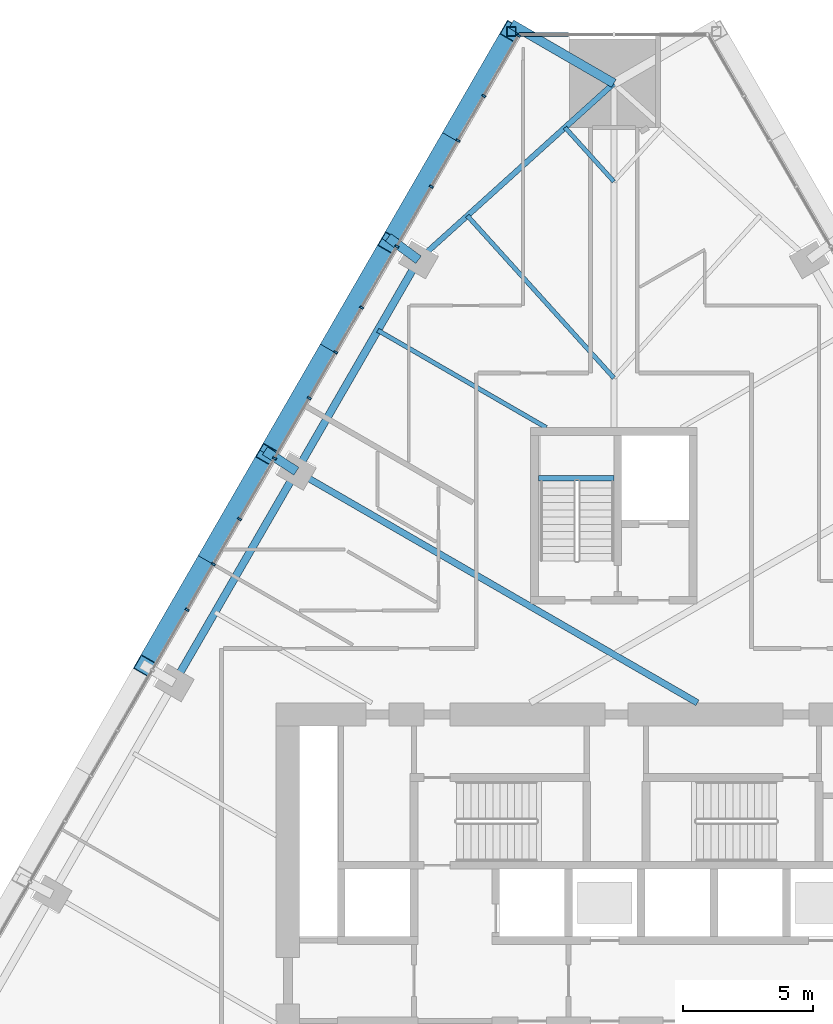
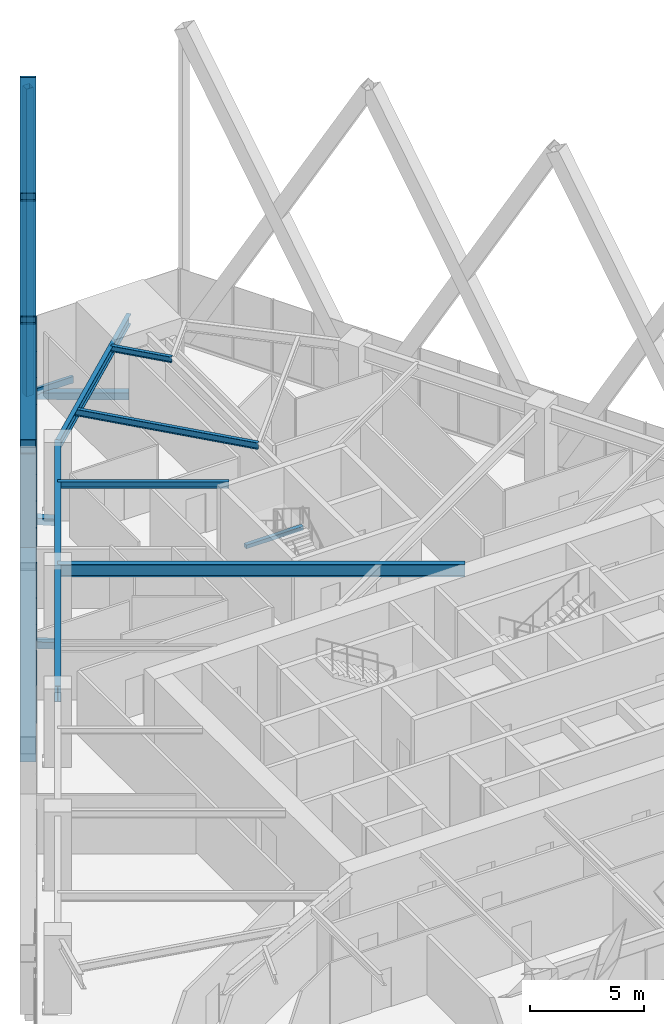
# One storey, part 10 of 21: 23 members, 7 beams, 2 elements without a shape of their own.
"""IFC4 building model written with IfcOpenShell, lengths in metres."""

from ifc_helpers import new_model, si_unit, direction, frame, origin, origin_2d, place, context, subcontext, project, spatial, rectangle, hollow_rectangle, i_section, extrude, material, layer, layer_set, material_profile, profile_set, type_object, element, aggregate, save


model = new_model("IFC4")

# Units and contexts
model_context = context("Model", 3, precision=1e-05, world=origin(), true_north=direction((0.0, 1.0)))
body_context = subcontext(model_context, "Body", "Model", "MODEL_VIEW")
ifc_project = project(units=[si_unit("LENGTHUNIT", "METRE"), si_unit("AREAUNIT", "SQUARE_METRE"), si_unit("VOLUMEUNIT", "CUBIC_METRE"), si_unit("PLANEANGLEUNIT", "RADIAN"), si_unit("MASSUNIT", "GRAM", prefix="KILO")], contexts=[model_context])

# Site, building, storey
site_placement = place(None, origin())
site = spatial("IfcSite", under=ifc_project, at=site_placement, CompositionType="ELEMENT")
building_placement = place(site_placement, origin())
building = spatial("IfcBuilding", under=site, at=building_placement, Name="Firuza Gate Tower and Library", CompositionType="ELEMENT")
storey_placement = place(building_placement, frame((0.0, 0.0, 90.39990234375)))
storey = spatial("IfcBuildingStorey", under=building, at=storey_placement, Name="L20", CompositionType="ELEMENT", Elevation=90.39990234375)

# Members
ifc_material_1 = material(Name="Steel S355", Category="steel")
ifc_material_profile_1 = material_profile(ifc_material_1, hollow_rectangle(XDim=0.699951171875, YDim=0.699951171875, WallThickness=0.030029296875, at=origin_2d()))
ifc_profile_set_1 = profile_set([ifc_material_profile_1], Name="Steel S355")
member_type_1 = type_object("IfcMemberType", Name="BU700x700x30 Lattice brace", PredefinedType="BRACE", material=ifc_profile_set_1)
for number, where, z_axis, x_axis, name in (
    (1, (71.0537109375, 109.852783203125, 0.0), (-0.244220326486, -0.422982149139, 0.872606746273), (0.866015235904, -0.500017610873, 0.0), "Lattice brace W 4.1R"),
    (2, (66.351806640625, 101.709228515625, 0.0), (0.244220326486, 0.422982149139, 0.872606746273), (-0.866015235904, 0.500017610873, 0.0), "Lattice brace W 4.1L"),
    (3, (66.351806640625, 101.709228515625, 0.0), (-0.24420840192, -0.422983459052, 0.872609448608), (0.866026478318, -0.499998138849, 0.0), "Lattice brace W 4.2R"),
    (4, (61.650146484375, 93.565673828125, 0.0), (0.24420840192, 0.422983459052, 0.872609448608), (-0.866026478318, 0.499998138849, 0.0), "Lattice brace W 4.2L"),
    (5, (61.650146484375, 93.565673828125, 0.0), (-0.24420840192, -0.422983459052, 0.872609448608), (0.866026478318, -0.499998138849, 0.0), "Lattice brace W 4.3R"),
    (6, (56.948486328125, 85.422119140625, 0.0), (0.24420840192, 0.422983459052, 0.872609448608), (-0.866026478318, 0.499998138849, 0.0), "Lattice brace W 4.3L"),
):
    element("IfcMember", number, at=place(storey_placement, frame(where, z_axis=z_axis, x_axis=x_axis)), inside=storey, type_object=member_type_1, Name=name, PredefinedType="BRACE", context=body_context, shape_type="SweptSolid", body=[
        extrude(hollow_rectangle(XDim=0.699951171875, YDim=0.699951171875, WallThickness=0.030029296875, at=origin_2d()), origin(), (0.0, 0.0, 1.0), 19.252685546875),
    ])

# Curtain wall, members
ifc_material_2 = material(Name="Aluminium 6063-T6", Category="aluminium")
ifc_layer_1 = layer(ifc_material_2, 0.14990234375)
ifc_layer_set_1 = layer_set([ifc_layer_1], Name="Unitised curtain wall, offices")
curtain_wall_type_1 = type_object("IfcCurtainWallType", Name="Unitised curtain wall, offices", PredefinedType="NOTDEFINED", material=ifc_layer_set_1)
placement = place(storey_placement, origin())
curtain_wall_1 = element("IfcCurtainWall", 7, at=placement, inside=storey, type_object=curtain_wall_type_1, Name="CW1 L20 W face", PredefinedType="NOTDEFINED")
ifc_material_3 = material(Name="Aluminium 6063-T6", Category="aluminium")
ifc_material_profile_2 = material_profile(ifc_material_3, rectangle(XDim=0.14990234375, YDim=0.080078125, at=origin_2d()))
ifc_profile_set_2 = profile_set([ifc_material_profile_2], Name="Aluminium 6063-T6")
member_type_2 = type_object("IfcMemberType", Name="Curtain wall mullion 80x150", PredefinedType="MULLION", material=ifc_profile_set_2)
member_1_placement = place(storey_placement, frame((71.336669921875, 109.693115234375, 0.150146484375), z_axis=(0.0, 0.0, 1.0), x_axis=(0.866025403784, -0.5, 0.0)))
member_1 = element("IfcMember", 8, at=member_1_placement, type_object=member_type_2, Name="Mullion", PredefinedType="MULLION", context=body_context, shape_type="SweptSolid", body=[
    extrude(rectangle(XDim=0.14990234375, YDim=0.080078125, at=origin_2d()), origin(), (0.0, 0.0, 1.0), 3.849853515625),
])
member_2_placement = place(storey_placement, frame((69.002197265625, 105.649658203125, 0.150146484375), z_axis=(0.0, 0.0, 1.0), x_axis=(0.866025403784, -0.5, 0.0)))
member_2 = element("IfcMember", 9, at=member_2_placement, type_object=member_type_2, Name="Mullion", PredefinedType="MULLION", context=body_context, shape_type="SweptSolid", body=[
    extrude(rectangle(XDim=0.14990234375, YDim=0.080078125, at=origin_2d()), origin(), (0.0, 0.0, 1.0), 3.849853515625),
])
member_3_placement = place(storey_placement, frame((66.647705078125, 101.571533203125, 0.150146484375), z_axis=(0.0, 0.0, 1.0), x_axis=(0.866025403784, -0.5, 0.0)))
member_3 = element("IfcMember", 10, at=member_3_placement, type_object=member_type_2, Name="Mullion", PredefinedType="MULLION", context=body_context, shape_type="SweptSolid", body=[
    extrude(rectangle(XDim=0.14990234375, YDim=0.080078125, at=origin_2d()), origin(), (0.0, 0.0, 1.0), 3.849853515625),
])
member_4_placement = place(storey_placement, frame((64.29345703125, 97.49365234375, 0.150146484375), z_axis=(0.0, 0.0, 1.0), x_axis=(0.866025403784, -0.5, 0.0)))
member_4 = element("IfcMember", 11, at=member_4_placement, type_object=member_type_2, Name="Mullion", PredefinedType="MULLION", context=body_context, shape_type="SweptSolid", body=[
    extrude(rectangle(XDim=0.14990234375, YDim=0.080078125, at=origin_2d()), origin(), (0.0, 0.0, 1.0), 3.849853515625),
])
member_5_placement = place(storey_placement, frame((61.93896484375, 93.41552734375, 0.150146484375), z_axis=(0.0, 0.0, 1.0), x_axis=(0.866025403784, -0.5, 0.0)))
member_5 = element("IfcMember", 12, at=member_5_placement, type_object=member_type_2, Name="Mullion", PredefinedType="MULLION", context=body_context, shape_type="SweptSolid", body=[
    extrude(rectangle(XDim=0.14990234375, YDim=0.080078125, at=origin_2d()), origin(), (0.0, 0.0, 1.0), 3.849853515625),
])
member_6_placement = place(storey_placement, frame((59.58447265625, 89.337646484375, 0.150146484375), z_axis=(0.0, 0.0, 1.0), x_axis=(0.866025403784, -0.5, 0.0)))
member_6 = element("IfcMember", 13, at=member_6_placement, type_object=member_type_2, Name="Mullion", PredefinedType="MULLION", context=body_context, shape_type="SweptSolid", body=[
    extrude(rectangle(XDim=0.14990234375, YDim=0.080078125, at=origin_2d()), origin(), (0.0, 0.0, 1.0), 3.849853515625),
])
member_7_placement = place(storey_placement, frame((69.992431640625, 107.364990234375, 0.150146484375), z_axis=(0.0, 0.0, 1.0), x_axis=(0.866025403784, -0.5, 0.0)))
member_7 = element("IfcMember", 14, at=member_7_placement, type_object=member_type_2, Name="Mullion", PredefinedType="MULLION", context=body_context, shape_type="SweptSolid", body=[
    extrude(rectangle(XDim=0.14990234375, YDim=0.080078125, at=origin_2d()), origin(), (0.0, 0.0, 1.0), 3.849853515625),
])
member_8_placement = place(storey_placement, frame((67.975830078125, 103.871826171875, 0.150146484375), z_axis=(0.0, 0.0, 1.0), x_axis=(0.866025403784, -0.5, 0.0)))
member_8 = element("IfcMember", 15, at=member_8_placement, type_object=member_type_2, Name="Mullion", PredefinedType="MULLION", context=body_context, shape_type="SweptSolid", body=[
    extrude(rectangle(XDim=0.14990234375, YDim=0.080078125, at=origin_2d()), origin(), (0.0, 0.0, 1.0), 3.849853515625),
])
member_9_placement = place(storey_placement, frame((65.290771484375, 99.221435546875, 0.150146484375), z_axis=(0.0, 0.0, 1.0), x_axis=(0.866025403784, -0.5, 0.0)))
member_9 = element("IfcMember", 16, at=member_9_placement, type_object=member_type_2, Name="Mullion", PredefinedType="MULLION", context=body_context, shape_type="SweptSolid", body=[
    extrude(rectangle(XDim=0.14990234375, YDim=0.080078125, at=origin_2d()), origin(), (0.0, 0.0, 1.0), 3.849853515625),
])
member_10_placement = place(storey_placement, frame((63.274169921875, 95.728271484375, 0.150146484375), z_axis=(0.0, 0.0, 1.0), x_axis=(0.866025403784, -0.5, 0.0)))
member_10 = element("IfcMember", 17, at=member_10_placement, type_object=member_type_2, Name="Mullion", PredefinedType="MULLION", context=body_context, shape_type="SweptSolid", body=[
    extrude(rectangle(XDim=0.14990234375, YDim=0.080078125, at=origin_2d()), origin(), (0.0, 0.0, 1.0), 3.849853515625),
])
member_11_placement = place(storey_placement, frame((60.589111328125, 91.077880859375, 0.150146484375), z_axis=(0.0, 0.0, 1.0), x_axis=(0.866025403784, -0.5, 0.0)))
member_11 = element("IfcMember", 18, at=member_11_placement, type_object=member_type_2, Name="Mullion", PredefinedType="MULLION", context=body_context, shape_type="SweptSolid", body=[
    extrude(rectangle(XDim=0.14990234375, YDim=0.080078125, at=origin_2d()), origin(), (0.0, 0.0, 1.0), 3.849853515625),
])
member_12_placement = place(storey_placement, frame((58.572509765625, 87.584716796875, 0.150146484375), z_axis=(0.0, 0.0, 1.0), x_axis=(0.866025403784, -0.5, 0.0)))
member_12 = element("IfcMember", 19, at=member_12_placement, type_object=member_type_2, Name="Mullion", PredefinedType="MULLION", context=body_context, shape_type="SweptSolid", body=[
    extrude(rectangle(XDim=0.14990234375, YDim=0.080078125, at=origin_2d()), origin(), (0.0, 0.0, 1.0), 3.849853515625),
])
aggregate(curtain_wall_1, [member_1, member_2, member_3, member_4, member_5, member_6, member_7, member_8, member_9, member_10, member_11, member_12])

# Curtain wall, member
ifc_material_4 = material(Name="Aluminium 6063-T6", Category="aluminium")
ifc_layer_2 = layer(ifc_material_4, 0.14990234375)
ifc_layer_set_2 = layer_set([ifc_layer_2], Name="Corner curtain wall, chamfers")
curtain_wall_type_2 = type_object("IfcCurtainWallType", Name="Corner curtain wall, chamfers", PredefinedType="NOTDEFINED", material=ifc_layer_set_2)
curtain_wall_2 = element("IfcCurtainWall", 20, at=placement, inside=storey, type_object=curtain_wall_type_2, Name="CW4 L20 N corner", PredefinedType="NOTDEFINED")
ifc_material_5 = material(Name="Aluminium 6063-T6", Category="aluminium")
ifc_material_profile_3 = material_profile(ifc_material_5, rectangle(XDim=0.14990234375, YDim=0.35009765625, at=origin_2d()))
ifc_profile_set_3 = profile_set([ifc_material_profile_3], Name="Aluminium 6063-T6")
member_type_3 = type_object("IfcMemberType", Name="Curtain wall transom 350x150", PredefinedType="USERDEFINED", material=ifc_profile_set_3)
member_13_placement = place(storey_placement, frame((73.248779296875, 109.727783203125, -0.02490234375), z_axis=(-1.0, 0.0, 0.0), x_axis=(0.0, -1.0, 0.0)))
member_13 = element("IfcMember", 21, at=member_13_placement, type_object=member_type_3, Name="Transom", ObjectType="TRANSOM", PredefinedType="USERDEFINED", context=body_context, shape_type="SweptSolid", body=[
    extrude(rectangle(XDim=0.14990234375, YDim=0.35009765625, at=origin_2d()), origin(), (0.0, 0.0, 1.0), 1.89208984375),
])
aggregate(curtain_wall_2, [member_13])

# Members
ifc_material_6 = material(Name="Steel S355", Category="steel")
ifc_material_profile_4 = material_profile(ifc_material_6, hollow_rectangle(XDim=0.355712890625, YDim=0.355712890625, WallThickness=0.014892578125, at=origin_2d()))
ifc_profile_set_4 = profile_set([ifc_material_profile_4], Name="Steel S355")
member_type_4 = type_object("IfcMemberType", Name="HSS356x356x16 Lattice corner stile", PredefinedType="BRACE", material=ifc_profile_set_4)
member_14_placement = place(storey_placement, frame((71.0537109375, 109.852783203125, -0.139892578125), z_axis=(0.0, 0.0, 1.0), x_axis=(1.0, 0.0, 0.0)))
element("IfcMember", 22, at=member_14_placement, inside=storey, type_object=member_type_4, Name="Lattice corner stile W 4.A", PredefinedType="BRACE", context=body_context, shape_type="SweptSolid", body=[
    extrude(hollow_rectangle(XDim=0.355712890625, YDim=0.355712890625, WallThickness=0.014892578125, at=origin_2d()), origin(), (0.0, 0.0, 1.0), 16.43994140625),
])
ifc_material_7 = material(Name="Steel S355", Category="steel")
ifc_material_profile_5 = material_profile(ifc_material_7, hollow_rectangle(XDim=0.355712890625, YDim=0.355712890625, WallThickness=0.014892578125, at=origin_2d()))
ifc_profile_set_5 = profile_set([ifc_material_profile_5], Name="Steel S355")
member_type_5 = type_object("IfcMemberType", Name="HSS356x356x16 Lattice node tie", PredefinedType="BRACE", material=ifc_profile_set_5)
member_15_placement = place(storey_placement, frame((62.776123046875, 92.91552734375, -0.31982421875), z_axis=(-0.836239284405, 0.548364713687, 0.0), x_axis=(-0.548364713687, -0.836239284405, 0.0)))
element("IfcMember", 23, at=member_15_placement, inside=storey, type_object=member_type_5, Name="Lattice node tie W L20 82", PredefinedType="BRACE", context=body_context, shape_type="SweptSolid", body=[
    extrude(hollow_rectangle(XDim=0.355712890625, YDim=0.355712890625, WallThickness=0.014892578125, at=origin_2d()), origin(), (0.0, 0.0, 1.0), 1.4443359375),
])
member_16_placement = place(storey_placement, frame((67.477783203125, 101.05908203125, -0.31982421875), z_axis=(-0.804039755994, 0.594575538331, 0.0), x_axis=(-0.594575538331, -0.804039755994, 0.0)))
element("IfcMember", 24, at=member_16_placement, inside=storey, type_object=member_type_5, Name="Lattice node tie W L20 83", PredefinedType="BRACE", context=body_context, shape_type="SweptSolid", body=[
    extrude(hollow_rectangle(XDim=0.355712890625, YDim=0.355712890625, WallThickness=0.014892578125, at=origin_2d()), origin(), (0.0, 0.0, 1.0), 1.451171875),
])
member_17_placement = place(storey_placement, frame((75.0, 107.852783203125, -0.31982421875), z_axis=(-0.86552158659, 0.50087162342, 0.0), x_axis=(-0.50087162342, -0.86552158659, 0.0)))
element("IfcMember", 25, at=member_17_placement, inside=storey, type_object=member_type_5, Name="Lattice node tie W L20 84", PredefinedType="BRACE", context=body_context, shape_type="SweptSolid", body=[
    extrude(hollow_rectangle(XDim=0.355712890625, YDim=0.355712890625, WallThickness=0.014892578125, at=origin_2d()), origin(), (0.0, 0.0, 1.0), 4.559326171875),
])

# Beams
ifc_material_8 = material(Name="Concrete C35/45", Category="concrete")
ifc_material_profile_6 = material_profile(ifc_material_8, rectangle(XDim=0.199951171875, YDim=0.199951171875, at=origin_2d()))
ifc_profile_set_6 = profile_set([ifc_material_profile_6], Name="Concrete C35/45")
beam_type_1 = type_object("IfcBeamType", Name="Stair landing bearer 200x200", PredefinedType="BEAM", material=ifc_profile_set_6)
beam_1_placement = place(storey_placement, frame((75.0, 92.64990234375, 1.800048828125), z_axis=(-1.0, 0.0, 0.0), x_axis=(0.0, -1.0, 0.0)))
element("IfcBeam", 26, at=beam_1_placement, inside=storey, type_object=beam_type_1, Name="Landing bearer L20 stair 3", PredefinedType="BEAM", context=body_context, shape_type="SweptSolid", body=[
    extrude(rectangle(XDim=0.199951171875, YDim=0.199951171875, at=origin_2d()), origin(), (0.0, 0.0, 1.0), 2.89990234375),
])
ifc_material_9 = material(Name="Steel S355", Category="steel")
ifc_material_profile_7 = material_profile(ifc_material_9, i_section(OverallWidth=0.1650390625, OverallDepth=0.31005859375, WebThickness=0.005859375, FlangeThickness=0.009765625, at=origin_2d()))
ifc_profile_set_7 = profile_set([ifc_material_profile_7], Name="Steel S355")
beam_type_2 = type_object("IfcBeamType", Name="W310x39 Floor beam", PredefinedType="JOIST", material=ifc_profile_set_7)
beam_2_placement = place(storey_placement, frame((73.119384765625, 106.154296875, 3.84521484375), z_axis=(0.670256887626, -0.742129169747, 0.0), x_axis=(0.742129169747, 0.670256887626, 0.0)))
element("IfcBeam", 27, at=beam_2_placement, inside=storey, type_object=beam_type_2, Name="Floor beam L20 s70", PredefinedType="JOIST", context=body_context, shape_type="SweptSolid", body=[
    extrude(i_section(OverallWidth=0.1650390625, OverallDepth=0.31005859375, WebThickness=0.005859375, FlangeThickness=0.009765625, at=origin_2d()), origin(), (0.0, 0.0, 1.0), 2.805908203125),
])
ifc_material_10 = material(Name="Steel S355", Category="steel")
ifc_material_profile_8 = material_profile(ifc_material_10, i_section(OverallWidth=0.1708984375, OverallDepth=0.35498046875, WebThickness=0.007080078125, FlangeThickness=0.01171875, at=origin_2d()))
ifc_profile_set_8 = profile_set([ifc_material_profile_8], Name="Steel S355")
beam_type_3 = type_object("IfcBeamType", Name="W360x51 Floor beam", PredefinedType="JOIST", material=ifc_profile_set_8)
beam_3_placement = place(storey_placement, frame((69.3583984375, 102.757568359375, 3.822509765625), z_axis=(0.67024091296, -0.742143597018, 0.0), x_axis=(0.742143597018, 0.67024091296, 0.0)))
element("IfcBeam", 28, at=beam_3_placement, inside=storey, type_object=beam_type_3, Name="Floor beam L20 s71", PredefinedType="JOIST", context=body_context, shape_type="SweptSolid", body=[
    extrude(i_section(OverallWidth=0.1708984375, OverallDepth=0.35498046875, WebThickness=0.007080078125, FlangeThickness=0.01171875, at=origin_2d()), origin(), (0.0, 0.0, 1.0), 8.417236328125),
])
beam_4_placement = place(storey_placement, frame((65.910400390625, 98.3447265625, 3.822509765625), z_axis=(0.866031961729, -0.499988641134, 0.0), x_axis=(0.499988641134, 0.866031961729, 0.0)))
element("IfcBeam", 29, at=beam_4_placement, inside=storey, type_object=beam_type_3, Name="Floor beam L20 s80", PredefinedType="JOIST", context=body_context, shape_type="SweptSolid", body=[
    extrude(i_section(OverallWidth=0.1708984375, OverallDepth=0.35498046875, WebThickness=0.007080078125, FlangeThickness=0.01171875, at=origin_2d()), origin(), (0.0, 0.0, 1.0), 7.489501953125),
])
ifc_material_11 = material(Name="Steel S355", Category="steel")
ifc_material_profile_9 = material_profile(ifc_material_11, i_section(OverallWidth=0.212890625, OverallDepth=0.5390625, WebThickness=0.01171875, FlangeThickness=0.018798828125, at=origin_2d()))
ifc_profile_set_9 = profile_set([ifc_material_profile_9], Name="Steel S355")
beam_type_4 = type_object("IfcBeamType", Name="W530x109 Edge beam", PredefinedType="SPANDREL", material=ifc_profile_set_9)
beam_5_placement = place(storey_placement, frame((75.0, 107.852783203125, 3.730712890625), z_axis=(-0.74213008283, -0.670255876632, 0.0), x_axis=(0.670255876632, -0.74213008283, 0.0)))
element("IfcBeam", 30, at=beam_5_placement, inside=storey, type_object=beam_type_4, Name="Edge beam L20 e70", PredefinedType="SPANDREL", context=body_context, shape_type="SweptSolid", body=[
    extrude(i_section(OverallWidth=0.212890625, OverallDepth=0.5390625, WebThickness=0.01171875, FlangeThickness=0.018798828125, at=origin_2d()), origin(), (0.0, 0.0, 1.0), 10.135986328125),
])
ifc_material_12 = material(Name="Steel S355", Category="steel")
ifc_material_profile_10 = material_profile(ifc_material_12, i_section(OverallWidth=0.2529296875, OverallDepth=0.677978515625, WebThickness=0.01171875, FlangeThickness=0.016357421875, at=origin_2d()))
ifc_profile_set_10 = profile_set([ifc_material_profile_10], Name="Steel S355")
beam_type_5 = type_object("IfcBeamType", Name="W690x125 Floor beam", PredefinedType="JOIST", material=ifc_profile_set_10)
beam_6_placement = place(storey_placement, frame((62.776123046875, 92.91552734375, 3.6611328125), z_axis=(0.866025296335, -0.500000186108, 0.0), x_axis=(0.500000186108, 0.866025296335, 0.0)))
element("IfcBeam", 31, at=beam_6_placement, inside=storey, type_object=beam_type_5, Name="Floor beam L20 s81", PredefinedType="JOIST", context=body_context, shape_type="SweptSolid", body=[
    extrude(i_section(OverallWidth=0.2529296875, OverallDepth=0.677978515625, WebThickness=0.01171875, FlangeThickness=0.016357421875, at=origin_2d()), origin(), (0.0, 0.0, 1.0), 17.8310546875),
])
ifc_material_13 = material(Name="Steel S355", Category="steel")
ifc_material_profile_11 = material_profile(ifc_material_13, i_section(OverallWidth=0.2919921875, OverallDepth=0.8349609375, WebThickness=0.013916015625, FlangeThickness=0.018798828125, at=origin_2d()))
ifc_profile_set_11 = profile_set([ifc_material_profile_11], Name="Steel S355")
beam_type_6 = type_object("IfcBeamType", Name="W840x176 Edge beam", PredefinedType="SPANDREL", material=ifc_profile_set_11)
beam_7_placement = place(storey_placement, frame((67.477783203125, 101.05908203125, 3.58251953125), z_axis=(-0.499998138849, -0.866026478318, 0.0), x_axis=(0.866026478318, -0.499998138849, 0.0)))
element("IfcBeam", 32, at=beam_7_placement, inside=storey, type_object=beam_type_6, Name="Edge beam L20 e80", PredefinedType="SPANDREL", context=body_context, shape_type="SweptSolid", body=[
    extrude(i_section(OverallWidth=0.2919921875, OverallDepth=0.8349609375, WebThickness=0.013916015625, FlangeThickness=0.018798828125, at=origin_2d()), origin(), (0.0, 0.0, 1.0), 18.806640625),
])

save(model, "model.ifc")
